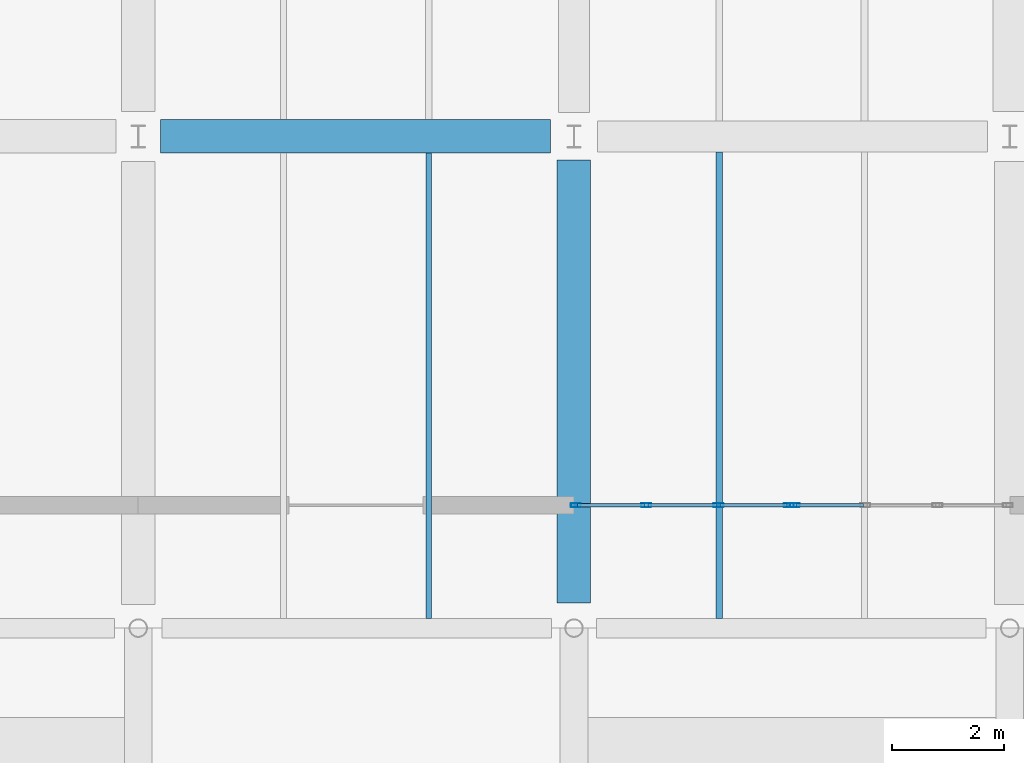
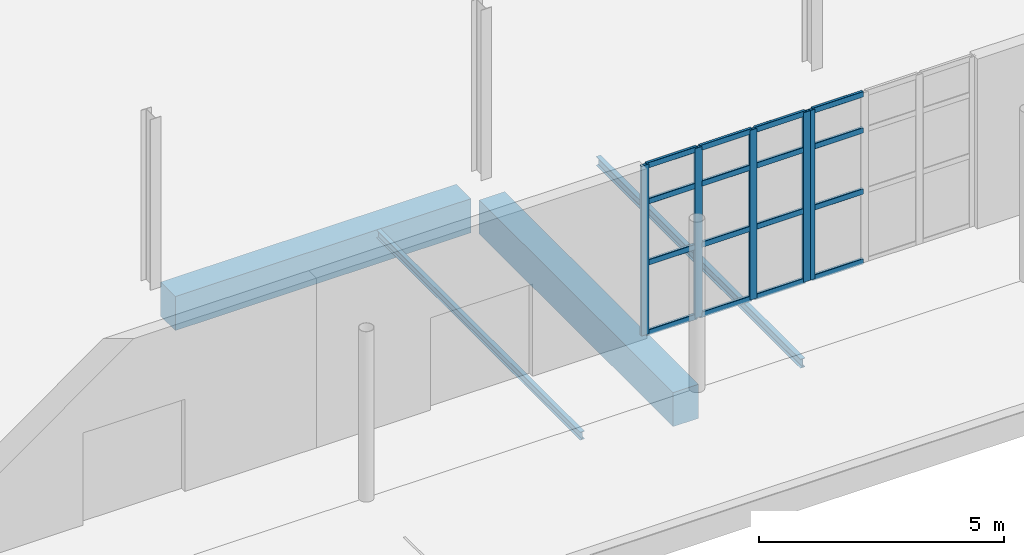
# One storey, part 9 of 76: 21 members, 4 beams, 2 elements without a shape of their own.
"""IFC4 building model written with IfcOpenShell, lengths in metres."""

from ifc_helpers import new_model, si_unit, direction, frame, origin, origin_2d, place, context, subcontext, project, spatial, rectangle, hollow_rectangle, i_section, extrude, material, material_profile, profile_set, type_object, element, aggregate, save


model = new_model("IFC4")

# Units and contexts
model_context = context("Model", 3, precision=1e-05, world=origin(), true_north=direction((0.0, 1.0)))
body_context = subcontext(model_context, "Body", "Model", "MODEL_VIEW")
ifc_project = project(units=[si_unit("LENGTHUNIT", "METRE"), si_unit("AREAUNIT", "SQUARE_METRE"), si_unit("VOLUMEUNIT", "CUBIC_METRE"), si_unit("PLANEANGLEUNIT", "RADIAN"), si_unit("MASSUNIT", "GRAM", prefix="KILO")], contexts=[model_context])

# Site, building, storey
site_placement = place(None, origin())
site = spatial("IfcSite", under=ifc_project, at=site_placement, CompositionType="ELEMENT")
building_placement = place(site_placement, origin())
building = spatial("IfcBuilding", under=site, at=building_placement, Name="Varnakota Cinema and Media Centre", CompositionType="ELEMENT")
storey_placement = place(building_placement, origin())
storey = spatial("IfcBuildingStorey", under=building, at=storey_placement, Name="L00", CompositionType="ELEMENT", Elevation=0.0)

# Beams
ifc_material_1 = material(Name="Concrete M35", Category="concrete")
ifc_material_profile_1 = material_profile(ifc_material_1, rectangle(XDim=0.60009765625, YDim=0.85009765625, at=origin_2d()), Name="RCB 600x850")
ifc_profile_set_1 = profile_set([ifc_material_profile_1], Name="Concrete M35")
beam_type_1 = type_object("IfcBeamType", Name="BM-RC-600x850", PredefinedType="BEAM", material=ifc_profile_set_1)
beam_1_placement = place(storey_placement, frame((52.0, 8.800048828125, -0.705078125), z_axis=(1.0, 0.0, 0.0), x_axis=(0.0, 1.0, 0.0)))
element("IfcBeam", 1, at=beam_1_placement, inside=storey, type_object=beam_type_1, Name="L00 girder G-H/2", PredefinedType="BEAM", context=body_context, shape_type="SweptSolid", body=[
    extrude(rectangle(XDim=0.60009765625, YDim=0.85009765625, at=origin_2d()), origin(), (0.0, 0.0, 1.0), 6.97509765625),
])
beam_2_placement = place(storey_placement, frame((59.39990234375, 0.449951171875, -0.705078125), z_axis=(0.0, 1.0, 0.0), x_axis=(-1.0, 0.0, 0.0)))
element("IfcBeam", 2, at=beam_2_placement, inside=storey, type_object=beam_type_1, Name="L00 girder H/1-2", PredefinedType="BEAM", context=body_context, shape_type="SweptSolid", body=[
    extrude(rectangle(XDim=0.60009765625, YDim=0.85009765625, at=origin_2d()), origin(), (0.0, 0.0, 1.0), 7.925048828125),
])
ifc_material_2 = material(Name="Structural steel Grade 350 (E350)", Category="steel")
ifc_material_profile_2 = material_profile(ifc_material_2, i_section(OverallWidth=0.10009765625, OverallDepth=0.199951171875, WebThickness=0.005615234375, FlangeThickness=0.0107421875, FilletRadius=0.010986328125, at=origin_2d()), Name="ISMB 200")
ifc_profile_set_2 = profile_set([ifc_material_profile_2], Name="Structural steel Grade 350 (E350)")
beam_type_2 = type_object("IfcBeamType", Name="BM-ST-ISMB200", PredefinedType="JOIST", material=ifc_profile_set_2)
beam_3_placement = place(storey_placement, frame((56.800048828125, 0.175048828125, -0.3798828125), z_axis=(0.0, 1.0, 0.0), x_axis=(-1.0, 0.0, 0.0)))
element("IfcBeam", 3, at=beam_3_placement, inside=storey, type_object=beam_type_2, Name="L00 steel joist G-H/1-2 #2", PredefinedType="JOIST", context=body_context, shape_type="SweptSolid", body=[
    extrude(i_section(OverallWidth=0.10009765625, OverallDepth=0.199951171875, WebThickness=0.005615234375, FlangeThickness=0.0107421875, FilletRadius=0.010986328125, at=origin_2d()), origin(), (0.0, 0.0, 1.0), 8.324951171875),
])
ifc_material_3 = material(Name="Structural steel Grade 350 (E350)", Category="steel")
ifc_material_profile_3 = material_profile(ifc_material_3, i_section(OverallWidth=0.110107421875, OverallDepth=0.22509765625, WebThickness=0.006591796875, FlangeThickness=0.01171875, FilletRadius=0.011962890625, at=origin_2d()), Name="ISMB 225")
ifc_profile_set_3 = profile_set([ifc_material_profile_3], Name="Structural steel Grade 350 (E350)")
beam_type_3 = type_object("IfcBeamType", Name="BM-ST-ISMB225", PredefinedType="JOIST", material=ifc_profile_set_3)
beam_4_placement = place(storey_placement, frame((62.0, 0.175048828125, -0.392578125), z_axis=(0.0, 1.0, 0.0), x_axis=(-1.0, 0.0, 0.0)))
element("IfcBeam", 4, at=beam_4_placement, inside=storey, type_object=beam_type_3, Name="L00 steel joist H-J/1-2 #1", PredefinedType="JOIST", context=body_context, shape_type="SweptSolid", body=[
    extrude(i_section(OverallWidth=0.110107421875, OverallDepth=0.22509765625, WebThickness=0.006591796875, FlangeThickness=0.01171875, FilletRadius=0.011962890625, at=origin_2d()), origin(), (0.0, 0.0, 1.0), 8.349853515625),
])

# Curtain wall, member
ifc_material_4 = material(Name="Thermally broken anodised aluminium AW-6063", Category="aluminium")
curtain_wall_type = type_object("IfcCurtainWallType", Name="CW-STD-388x424", PredefinedType="USERDEFINED", material=ifc_material_4)
curtain_wall_1_placement = place(storey_placement, origin())
curtain_wall_1 = element("IfcCurtainWall", 5, at=curtain_wall_1_placement, inside=storey, type_object=curtain_wall_type, Name="L00 curtain wall CW-L00-V6-S-02-1", ObjectType="UNITISED CURTAIN WALL", PredefinedType="USERDEFINED")
ifc_material_5 = material(Name="Thermally broken anodised aluminium AW-6063", Category="aluminium")
ifc_material_profile_4 = material_profile(ifc_material_5, hollow_rectangle(XDim=0.06494140625, YDim=0.179931640625, WallThickness=0.00390625, InnerFilletRadius=0.00390625, OuterFilletRadius=0.008056640625, at=origin_2d()), Name="AL-MULLION 180x65x4")
ifc_profile_set_4 = profile_set([ifc_material_profile_4], Name="Thermally broken anodised aluminium AW-6063")
member_type_1 = type_object("IfcMemberType", Name="CWM-AL-180", PredefinedType="MULLION", material=ifc_profile_set_4)
member_1_placement = place(storey_placement, frame((63.3525390625, 2.199951171875, 0.0), z_axis=(0.0, 0.0, 1.0), x_axis=(0.0, -1.0, 0.0)))
member_1 = element("IfcMember", 6, at=member_1_placement, type_object=member_type_1, Name="CW05 mullion 4", PredefinedType="MULLION", context=body_context, shape_type="SweptSolid", body=[
    extrude(hollow_rectangle(XDim=0.06494140625, YDim=0.179931640625, WallThickness=0.00390625, InnerFilletRadius=0.00390625, OuterFilletRadius=0.008056640625, at=origin_2d()), origin(), (0.0, 0.0, 1.0), 4.235107421875),
])

# Curtain wall, members
curtain_wall_2_placement = place(storey_placement, origin())
curtain_wall_2 = element("IfcCurtainWall", 7, at=curtain_wall_2_placement, inside=storey, type_object=curtain_wall_type, Name="L00 curtain wall CW-L00-V6-S-02-2", ObjectType="UNITISED CURTAIN WALL", PredefinedType="USERDEFINED")
member_2_placement = place(storey_placement, frame((63.24755859375, 2.199951171875, 0.0), z_axis=(0.0, 0.0, 1.0), x_axis=(0.0, -1.0, 0.0)))
member_2 = element("IfcMember", 8, at=member_2_placement, type_object=member_type_1, Name="CW05 mullion 1", PredefinedType="MULLION", context=body_context, shape_type="SweptSolid", body=[
    extrude(hollow_rectangle(XDim=0.06494140625, YDim=0.179931640625, WallThickness=0.00390625, InnerFilletRadius=0.00390625, OuterFilletRadius=0.008056640625, at=origin_2d()), origin(), (0.0, 0.0, 1.0), 4.235107421875),
])
member_3_placement = place(storey_placement, frame((61.986572265625, 2.199951171875, 0.0), z_axis=(0.0, 0.0, 1.0), x_axis=(0.0, -1.0, 0.0)))
member_3 = element("IfcMember", 9, at=member_3_placement, type_object=member_type_1, Name="CW05 mullion 2", PredefinedType="MULLION", context=body_context, shape_type="SweptSolid", body=[
    extrude(hollow_rectangle(XDim=0.06494140625, YDim=0.179931640625, WallThickness=0.00390625, InnerFilletRadius=0.00390625, OuterFilletRadius=0.008056640625, at=origin_2d()), origin(), (0.0, 0.0, 1.0), 4.235107421875),
])
member_4_placement = place(storey_placement, frame((60.693359375, 2.199951171875, 0.0), z_axis=(0.0, 0.0, 1.0), x_axis=(0.0, -1.0, 0.0)))
member_4 = element("IfcMember", 10, at=member_4_placement, type_object=member_type_1, Name="CW05 mullion 3", PredefinedType="MULLION", context=body_context, shape_type="SweptSolid", body=[
    extrude(hollow_rectangle(XDim=0.06494140625, YDim=0.179931640625, WallThickness=0.00390625, InnerFilletRadius=0.00390625, OuterFilletRadius=0.008056640625, at=origin_2d()), origin(), (0.0, 0.0, 1.0), 4.235107421875),
])
member_5_placement = place(storey_placement, frame((59.4326171875, 2.199951171875, 0.0), z_axis=(0.0, 0.0, 1.0), x_axis=(0.0, -1.0, 0.0)))
member_5 = element("IfcMember", 11, at=member_5_placement, type_object=member_type_1, Name="CW05 mullion 4", PredefinedType="MULLION", context=body_context, shape_type="SweptSolid", body=[
    extrude(hollow_rectangle(XDim=0.06494140625, YDim=0.179931640625, WallThickness=0.00390625, InnerFilletRadius=0.00390625, OuterFilletRadius=0.008056640625, at=origin_2d()), origin(), (0.0, 0.0, 1.0), 4.235107421875),
])

# Member
ifc_material_6 = material(Name="Thermally broken anodised aluminium AW-6063", Category="aluminium")
ifc_material_profile_5 = material_profile(ifc_material_6, hollow_rectangle(XDim=0.06494140625, YDim=0.139892578125, WallThickness=0.00390625, InnerFilletRadius=0.00390625, OuterFilletRadius=0.008056640625, at=origin_2d()), Name="AL-TRANSOM 140x65x4")
ifc_profile_set_5 = profile_set([ifc_material_profile_5], Name="Thermally broken anodised aluminium AW-6063")
member_type_2 = type_object("IfcMemberType", Name="CWT-AL-140", PredefinedType="USERDEFINED", material=ifc_profile_set_5)
member_6_placement = place(storey_placement, frame((64.580810546875, 2.199951171875, 0.032470703125), z_axis=(-1.0, 0.0, 0.0), x_axis=(0.0, -1.0, 0.0)))
member_6 = element("IfcMember", 12, at=member_6_placement, type_object=member_type_2, Name="CW05 transom 3.1", ObjectType="TRANSOM", PredefinedType="USERDEFINED", context=body_context, shape_type="SweptSolid", body=[
    extrude(hollow_rectangle(XDim=0.06494140625, YDim=0.139892578125, WallThickness=0.00390625, InnerFilletRadius=0.00390625, OuterFilletRadius=0.008056640625, at=origin_2d()), origin(), (0.0, 0.0, 1.0), 1.19580078125),
])

member_7_placement = place(storey_placement, frame((64.580810546875, 2.199951171875, 1.77880859375), z_axis=(-1.0, 0.0, 0.0), x_axis=(0.0, -1.0, 0.0)))
member_7 = element("IfcMember", 13, at=member_7_placement, type_object=member_type_2, Name="CW05 transom 3.2", ObjectType="TRANSOM", PredefinedType="USERDEFINED", context=body_context, shape_type="SweptSolid", body=[
    extrude(hollow_rectangle(XDim=0.06494140625, YDim=0.139892578125, WallThickness=0.00390625, InnerFilletRadius=0.00390625, OuterFilletRadius=0.008056640625, at=origin_2d()), origin(), (0.0, 0.0, 1.0), 1.19580078125),
])

member_8_placement = place(storey_placement, frame((64.580810546875, 2.199951171875, 3.30322265625), z_axis=(-1.0, 0.0, 0.0), x_axis=(0.0, -1.0, 0.0)))
member_8 = element("IfcMember", 14, at=member_8_placement, type_object=member_type_2, Name="CW05 transom 3.3", ObjectType="TRANSOM", PredefinedType="USERDEFINED", context=body_context, shape_type="SweptSolid", body=[
    extrude(hollow_rectangle(XDim=0.06494140625, YDim=0.139892578125, WallThickness=0.00390625, InnerFilletRadius=0.00390625, OuterFilletRadius=0.008056640625, at=origin_2d()), origin(), (0.0, 0.0, 1.0), 1.19580078125),
])

member_9_placement = place(storey_placement, frame((64.580810546875, 2.199951171875, 4.202392578125), z_axis=(-1.0, 0.0, 0.0), x_axis=(0.0, -1.0, 0.0)))
member_9 = element("IfcMember", 15, at=member_9_placement, type_object=member_type_2, Name="CW05 transom 3.4", ObjectType="TRANSOM", PredefinedType="USERDEFINED", context=body_context, shape_type="SweptSolid", body=[
    extrude(hollow_rectangle(XDim=0.06494140625, YDim=0.139892578125, WallThickness=0.00390625, InnerFilletRadius=0.00390625, OuterFilletRadius=0.008056640625, at=origin_2d()), origin(), (0.0, 0.0, 1.0), 1.19580078125),
])

aggregate(curtain_wall_1, [member_1, member_6, member_7, member_8, member_9])

member_10_placement = place(storey_placement, frame((63.215087890625, 2.199951171875, 0.032470703125), z_axis=(-1.0, 0.0, 0.0), x_axis=(0.0, -1.0, 0.0)))
member_10 = element("IfcMember", 16, at=member_10_placement, type_object=member_type_2, Name="CW05 transom 1.1", ObjectType="TRANSOM", PredefinedType="USERDEFINED", context=body_context, shape_type="SweptSolid", body=[
    extrude(hollow_rectangle(XDim=0.06494140625, YDim=0.139892578125, WallThickness=0.00390625, InnerFilletRadius=0.00390625, OuterFilletRadius=0.008056640625, at=origin_2d()), origin(), (0.0, 0.0, 1.0), 1.19580078125),
])

member_11_placement = place(storey_placement, frame((63.215087890625, 2.199951171875, 1.77880859375), z_axis=(-1.0, 0.0, 0.0), x_axis=(0.0, -1.0, 0.0)))
member_11 = element("IfcMember", 17, at=member_11_placement, type_object=member_type_2, Name="CW05 transom 1.2", ObjectType="TRANSOM", PredefinedType="USERDEFINED", context=body_context, shape_type="SweptSolid", body=[
    extrude(hollow_rectangle(XDim=0.06494140625, YDim=0.139892578125, WallThickness=0.00390625, InnerFilletRadius=0.00390625, OuterFilletRadius=0.008056640625, at=origin_2d()), origin(), (0.0, 0.0, 1.0), 1.19580078125),
])

member_12_placement = place(storey_placement, frame((63.215087890625, 2.199951171875, 3.30322265625), z_axis=(-1.0, 0.0, 0.0), x_axis=(0.0, -1.0, 0.0)))
member_12 = element("IfcMember", 18, at=member_12_placement, type_object=member_type_2, Name="CW05 transom 1.3", ObjectType="TRANSOM", PredefinedType="USERDEFINED", context=body_context, shape_type="SweptSolid", body=[
    extrude(hollow_rectangle(XDim=0.06494140625, YDim=0.139892578125, WallThickness=0.00390625, InnerFilletRadius=0.00390625, OuterFilletRadius=0.008056640625, at=origin_2d()), origin(), (0.0, 0.0, 1.0), 1.19580078125),
])

member_13_placement = place(storey_placement, frame((63.215087890625, 2.199951171875, 4.202392578125), z_axis=(-1.0, 0.0, 0.0), x_axis=(0.0, -1.0, 0.0)))
member_13 = element("IfcMember", 19, at=member_13_placement, type_object=member_type_2, Name="CW05 transom 1.4", ObjectType="TRANSOM", PredefinedType="USERDEFINED", context=body_context, shape_type="SweptSolid", body=[
    extrude(hollow_rectangle(XDim=0.06494140625, YDim=0.139892578125, WallThickness=0.00390625, InnerFilletRadius=0.00390625, OuterFilletRadius=0.008056640625, at=origin_2d()), origin(), (0.0, 0.0, 1.0), 1.19580078125),
])

member_14_placement = place(storey_placement, frame((61.9541015625, 2.199951171875, 0.032470703125), z_axis=(-1.0, 0.0, 0.0), x_axis=(0.0, -1.0, 0.0)))
member_14 = element("IfcMember", 20, at=member_14_placement, type_object=member_type_2, Name="CW05 transom 2.1", ObjectType="TRANSOM", PredefinedType="USERDEFINED", context=body_context, shape_type="SweptSolid", body=[
    extrude(hollow_rectangle(XDim=0.06494140625, YDim=0.139892578125, WallThickness=0.00390625, InnerFilletRadius=0.00390625, OuterFilletRadius=0.008056640625, at=origin_2d()), origin(), (0.0, 0.0, 1.0), 1.228271484375),
])

member_15_placement = place(storey_placement, frame((61.9541015625, 2.199951171875, 1.77880859375), z_axis=(-1.0, 0.0, 0.0), x_axis=(0.0, -1.0, 0.0)))
member_15 = element("IfcMember", 21, at=member_15_placement, type_object=member_type_2, Name="CW05 transom 2.2", ObjectType="TRANSOM", PredefinedType="USERDEFINED", context=body_context, shape_type="SweptSolid", body=[
    extrude(hollow_rectangle(XDim=0.06494140625, YDim=0.139892578125, WallThickness=0.00390625, InnerFilletRadius=0.00390625, OuterFilletRadius=0.008056640625, at=origin_2d()), origin(), (0.0, 0.0, 1.0), 1.228271484375),
])

member_16_placement = place(storey_placement, frame((61.9541015625, 2.199951171875, 3.30322265625), z_axis=(-1.0, 0.0, 0.0), x_axis=(0.0, -1.0, 0.0)))
member_16 = element("IfcMember", 22, at=member_16_placement, type_object=member_type_2, Name="CW05 transom 2.3", ObjectType="TRANSOM", PredefinedType="USERDEFINED", context=body_context, shape_type="SweptSolid", body=[
    extrude(hollow_rectangle(XDim=0.06494140625, YDim=0.139892578125, WallThickness=0.00390625, InnerFilletRadius=0.00390625, OuterFilletRadius=0.008056640625, at=origin_2d()), origin(), (0.0, 0.0, 1.0), 1.228271484375),
])

member_17_placement = place(storey_placement, frame((61.9541015625, 2.199951171875, 4.202392578125), z_axis=(-1.0, 0.0, 0.0), x_axis=(0.0, -1.0, 0.0)))
member_17 = element("IfcMember", 23, at=member_17_placement, type_object=member_type_2, Name="CW05 transom 2.4", ObjectType="TRANSOM", PredefinedType="USERDEFINED", context=body_context, shape_type="SweptSolid", body=[
    extrude(hollow_rectangle(XDim=0.06494140625, YDim=0.139892578125, WallThickness=0.00390625, InnerFilletRadius=0.00390625, OuterFilletRadius=0.008056640625, at=origin_2d()), origin(), (0.0, 0.0, 1.0), 1.228271484375),
])

member_18_placement = place(storey_placement, frame((60.660888671875, 2.199951171875, 0.032470703125), z_axis=(-1.0, 0.0, 0.0), x_axis=(0.0, -1.0, 0.0)))
member_18 = element("IfcMember", 24, at=member_18_placement, type_object=member_type_2, Name="CW05 transom 3.1", ObjectType="TRANSOM", PredefinedType="USERDEFINED", context=body_context, shape_type="SweptSolid", body=[
    extrude(hollow_rectangle(XDim=0.06494140625, YDim=0.139892578125, WallThickness=0.00390625, InnerFilletRadius=0.00390625, OuterFilletRadius=0.008056640625, at=origin_2d()), origin(), (0.0, 0.0, 1.0), 1.19580078125),
])

member_19_placement = place(storey_placement, frame((60.660888671875, 2.199951171875, 1.77880859375), z_axis=(-1.0, 0.0, 0.0), x_axis=(0.0, -1.0, 0.0)))
member_19 = element("IfcMember", 25, at=member_19_placement, type_object=member_type_2, Name="CW05 transom 3.2", ObjectType="TRANSOM", PredefinedType="USERDEFINED", context=body_context, shape_type="SweptSolid", body=[
    extrude(hollow_rectangle(XDim=0.06494140625, YDim=0.139892578125, WallThickness=0.00390625, InnerFilletRadius=0.00390625, OuterFilletRadius=0.008056640625, at=origin_2d()), origin(), (0.0, 0.0, 1.0), 1.19580078125),
])

member_20_placement = place(storey_placement, frame((60.660888671875, 2.199951171875, 3.30322265625), z_axis=(-1.0, 0.0, 0.0), x_axis=(0.0, -1.0, 0.0)))
member_20 = element("IfcMember", 26, at=member_20_placement, type_object=member_type_2, Name="CW05 transom 3.3", ObjectType="TRANSOM", PredefinedType="USERDEFINED", context=body_context, shape_type="SweptSolid", body=[
    extrude(hollow_rectangle(XDim=0.06494140625, YDim=0.139892578125, WallThickness=0.00390625, InnerFilletRadius=0.00390625, OuterFilletRadius=0.008056640625, at=origin_2d()), origin(), (0.0, 0.0, 1.0), 1.19580078125),
])

member_21_placement = place(storey_placement, frame((60.660888671875, 2.199951171875, 4.202392578125), z_axis=(-1.0, 0.0, 0.0), x_axis=(0.0, -1.0, 0.0)))
member_21 = element("IfcMember", 27, at=member_21_placement, type_object=member_type_2, Name="CW05 transom 3.4", ObjectType="TRANSOM", PredefinedType="USERDEFINED", context=body_context, shape_type="SweptSolid", body=[
    extrude(hollow_rectangle(XDim=0.06494140625, YDim=0.139892578125, WallThickness=0.00390625, InnerFilletRadius=0.00390625, OuterFilletRadius=0.008056640625, at=origin_2d()), origin(), (0.0, 0.0, 1.0), 1.19580078125),
])

aggregate(curtain_wall_2, [member_2, member_3, member_4, member_5, member_10, member_11, member_12, member_13, member_14, member_15, member_16, member_17, member_18, member_19, member_20, member_21])

save(model, "model.ifc")
